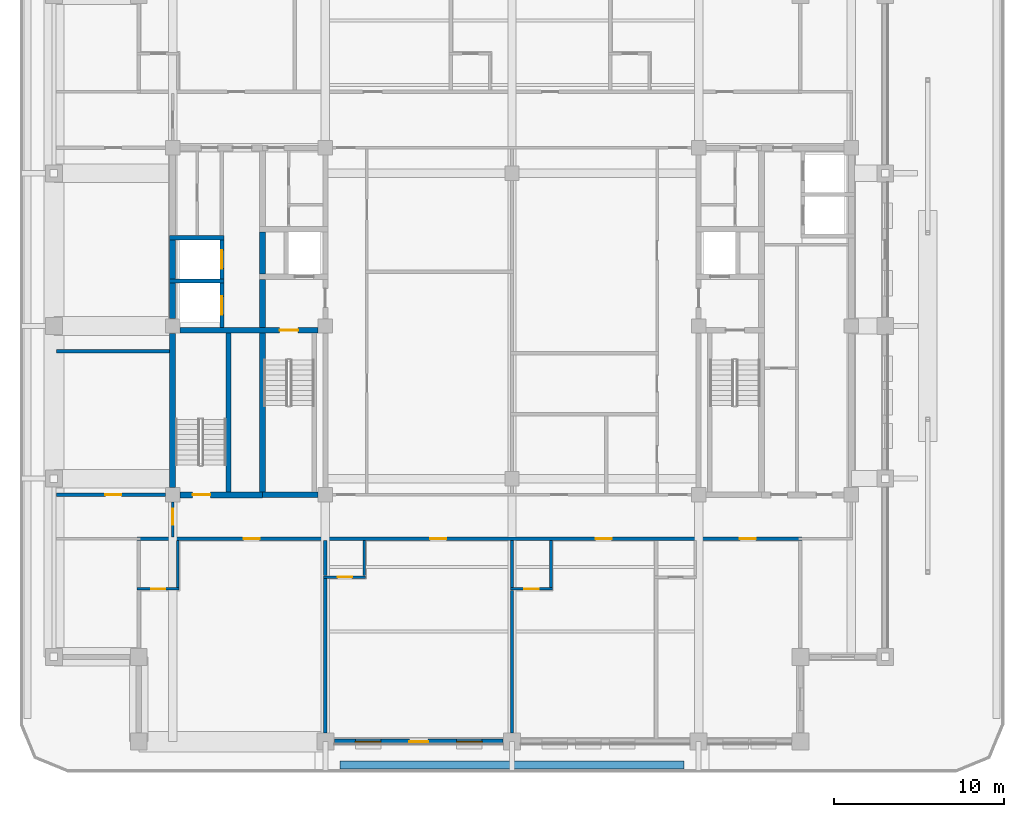
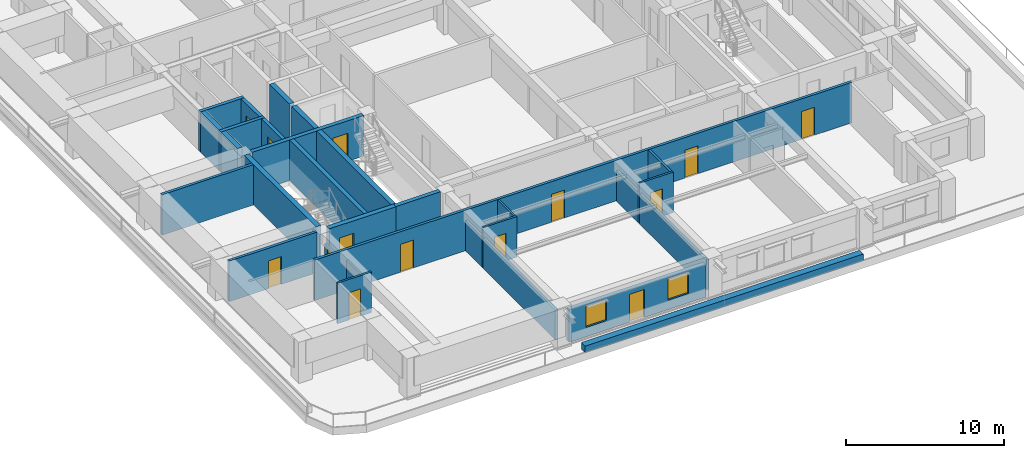
# One storey, part 6 of 18: 30 walls, 14 doors, 2 windows, 16 openings.
"""IFC4 building model written with IfcOpenShell, lengths in metres."""

from ifc_helpers import new_model, si_unit, direction, frame, frame_2d, origin, place, context, subcontext, project, spatial, rectangle, extrude, material, layer, layer_set, type_object, element, fill, save


model = new_model("IFC4")

# Units and contexts
model_context = context("Model", 3, precision=1e-05, world=origin(), true_north=direction((0.0, 1.0)))
body_context = subcontext(model_context, "Body", "Model", "MODEL_VIEW")
ifc_project = project(units=[si_unit("LENGTHUNIT", "METRE"), si_unit("AREAUNIT", "SQUARE_METRE"), si_unit("VOLUMEUNIT", "CUBIC_METRE"), si_unit("PLANEANGLEUNIT", "RADIAN"), si_unit("MASSUNIT", "GRAM", prefix="KILO")], contexts=[model_context])

# Site, building, storey
site_placement = place(None, origin())
site = spatial("IfcSite", under=ifc_project, at=site_placement, CompositionType="ELEMENT")
building_placement = place(site_placement, origin())
building = spatial("IfcBuilding", under=site, at=building_placement, Name="Zulmaris Gate Convention Tower", CompositionType="ELEMENT")
storey_placement = place(building_placement, frame((0.0, 0.0, 191.4599609375)))
storey = spatial("IfcBuildingStorey", under=building, at=storey_placement, Name="L49", CompositionType="ELEMENT", Elevation=191.4599609375)

# Walls
ifc_material_1 = material(Name="Concrete C50/60", Category="concrete")
ifc_layer_1 = layer(ifc_material_1, 0.25, Name="Concrete C50/60")
ifc_layer_set_1 = layer_set([ifc_layer_1], Name="Concrete C50/60")
wall_type_1 = type_object("IfcWallType", Name="CORE-250", PredefinedType="SOLIDWALL", material=ifc_layer_set_1)
for number, where, z_axis, x_axis, name in (
    (1, (-20.175048828125, 2.64990234375, 0.0), (0.0, 0.0, 1.0), (1.0, 0.0, 0.0), "WL-L49-007"),
    (2, (-20.175048828125, 5.199951171875, 0.0), (0.0, 0.0, 1.0), (1.0, 0.0, 0.0), "WL-L49-010"),
):
    element("IfcWall", number, at=place(storey_placement, frame(where, z_axis=z_axis, x_axis=x_axis)), inside=storey, type_object=wall_type_1, Name=name, PredefinedType="SOLIDWALL", context=body_context, shape_type="SweptSolid", body=[
        extrude(rectangle(XDim=3.199951171875, YDim=0.25, at=frame_2d((1.60009765625, 0.0))), origin(), (0.0, 0.0, 1.0), 3.125),
    ])

# Wall, opening, door
wall_1_placement = place(storey_placement, frame((-17.10009765625, -0.097900390625, 0.0), z_axis=(0.0, 0.0, 1.0), x_axis=(0.0, 1.0, 0.0)))
wall_1 = element("IfcWall", 3, at=wall_1_placement, inside=storey, type_object=wall_type_1, Name="WL-L49-048", PredefinedType="SOLIDWALL", context=body_context, shape_type="SweptSolid", body=[
    extrude(rectangle(XDim=2.620849609375, YDim=0.25, at=frame_2d((1.310546875, 0.0))), origin(), (0.0, 0.0, 1.0), 3.125),
])
opening_1_placement = place(wall_1_placement, frame((0.748046875, 0.0, 0.0)))
opening_1 = element("IfcOpeningElement", 4, at=opening_1_placement, cuts=wall_1, Name="Opening D-06", PredefinedType="OPENING", context=body_context, shape_type="SweptSolid", body=[
    extrude(rectangle(XDim=1.10009765625, YDim=2.199951171875, at=frame_2d((0.550048828125, 1.10009765625))), frame((0.0, 0.135009765625, 0.0), z_axis=(0.0, -1.0, 0.0), x_axis=(1.0, 0.0, 0.0)), (0.0, 0.0, 1.0), 0.27001953125),
])
ifc_material_2 = material(Name="Brushed Stainless Steel", Category="steel")
door_type_1 = type_object("IfcDoorType", Name="LD-1100", OperationType="NOTDEFINED", PredefinedType="DOOR", material=ifc_material_2)
door_1_placement = place(opening_1_placement, origin())
door_1 = element("IfcDoor", 5, at=door_1_placement, inside=storey, type_object=door_type_1, Name="L49 Lift Landing Door HP-03 14", OperationType="SLIDING_TO_LEFT", OverallHeight=2.199951171875, OverallWidth=1.10009765625, PredefinedType="DOOR", context=body_context, shape_type="SweptSolid", body=[
    extrude(rectangle(XDim=1.10009765625, YDim=2.199951171875, at=frame_2d((0.550048828125, 1.10009765625))), frame((0.0, 0.02490234375, 0.0), z_axis=(0.0, -1.0, 0.0), x_axis=(1.0, 0.0, 0.0)), (0.0, 0.0, 1.0), 0.050048828125),
])
fill(opening_1, door_1)

wall_2_placement = place(storey_placement, frame((-17.10009765625, 2.777099609375, 0.0), z_axis=(0.0, 0.0, 1.0), x_axis=(0.0, 1.0, 0.0)))
wall_2 = element("IfcWall", 6, at=wall_2_placement, inside=storey, type_object=wall_type_1, Name="WL-L49-049", PredefinedType="SOLIDWALL", context=body_context, shape_type="SweptSolid", body=[
    extrude(rectangle(XDim=2.2958984375, YDim=0.25, at=frame_2d((1.14794921875, 0.0))), origin(), (0.0, 0.0, 1.0), 3.125),
])
opening_2_placement = place(wall_2_placement, frame((0.597900390625, 0.0, 0.0)))
opening_2 = element("IfcOpeningElement", 7, at=opening_2_placement, cuts=wall_2, Name="Opening D-06", PredefinedType="OPENING", context=body_context, shape_type="SweptSolid", body=[
    extrude(rectangle(XDim=1.10009765625, YDim=2.199951171875, at=frame_2d((0.550048828125, 1.10009765625))), frame((0.0, 0.135009765625, 0.0), z_axis=(0.0, -1.0, 0.0), x_axis=(1.0, 0.0, 0.0)), (0.0, 0.0, 1.0), 0.27001953125),
])
door_2_placement = place(opening_2_placement, origin())
door_2 = element("IfcDoor", 8, at=door_2_placement, inside=storey, type_object=door_type_1, Name="L49 Lift Landing Door HP-04 15", OperationType="SLIDING_TO_LEFT", OverallHeight=2.199951171875, OverallWidth=1.10009765625, PredefinedType="DOOR", context=body_context, shape_type="SweptSolid", body=[
    extrude(rectangle(XDim=1.10009765625, YDim=2.199951171875, at=frame_2d((0.550048828125, 1.10009765625))), frame((0.0, 0.02490234375, 0.0), z_axis=(0.0, -1.0, 0.0), x_axis=(1.0, 0.0, 0.0)), (0.0, 0.0, 1.0), 0.050048828125),
])
fill(opening_2, door_2)

# Wall
ifc_layer_2 = layer(ifc_material_1, 0.300048828125, Name="Concrete C50/60")
ifc_layer_set_2 = layer_set([ifc_layer_2], Name="Concrete C50/60")
wall_type_2 = type_object("IfcWallType", Name="CORE-300", PredefinedType="SHEAR", material=ifc_layer_set_2)
wall_3_placement = place(storey_placement, frame((-14.699951171875, -9.949951171875, 0.0), z_axis=(0.0, 0.0, 1.0), x_axis=(1.0, 0.0, 0.0)))
element("IfcWall", 9, at=wall_3_placement, inside=storey, type_object=wall_type_2, Name="WL-L49-002", PredefinedType="SHEAR", context=body_context, shape_type="SweptSolid", body=[
    extrude(rectangle(XDim=3.27099609375, YDim=0.300048828125, at=frame_2d((1.635498046875, 0.0))), origin(), (0.0, 0.0, 1.0), 3.125),
])

# Wall, opening, door
wall_4_placement = place(storey_placement, frame((-19.571044921875, -0.25, 0.0), z_axis=(0.0, 0.0, 1.0), x_axis=(1.0, 0.0, 0.0)))
wall_4 = element("IfcWall", 10, at=wall_4_placement, inside=storey, type_object=wall_type_2, Name="WL-L49-005", PredefinedType="SHEAR", context=body_context, shape_type="SweptSolid", body=[
    extrude(rectangle(XDim=8.14208984375, YDim=0.300048828125, at=frame_2d((4.071044921875, 0.0))), origin(), (0.0, 0.0, 1.0), 3.125),
])
opening_3_placement = place(wall_4_placement, frame((5.87109375, 0.0, 0.0)))
opening_3 = element("IfcOpeningElement", 11, at=opening_3_placement, cuts=wall_4, Name="Opening D-08", PredefinedType="OPENING", context=body_context, shape_type="SweptSolid", body=[
    extrude(rectangle(XDim=1.10009765625, YDim=2.14990234375, at=frame_2d((0.550048828125, 1.074951171875))), frame((0.0, 0.16015625, 0.0), z_axis=(0.0, -1.0, 0.0), x_axis=(1.0, 0.0, 0.0)), (0.0, 0.0, 1.0), 0.320068359375),
])
ifc_material_3 = material(Name="Fire-Rated Steel", Category="steel")
door_type_2 = type_object("IfcDoorType", Name="DR-1100-FD", OperationType="NOTDEFINED", PredefinedType="DOOR", material=ifc_material_3)
door_3_placement = place(opening_3_placement, origin())
door_3 = element("IfcDoor", 12, at=door_3_placement, inside=storey, type_object=door_type_2, Name="L49 Exit Stair ST-1 Door 01", OperationType="SINGLE_SWING_LEFT", OverallHeight=2.14990234375, OverallWidth=1.10009765625, PredefinedType="DOOR", context=body_context, shape_type="SweptSolid", body=[
    extrude(rectangle(XDim=1.10009765625, YDim=2.14990234375, at=frame_2d((0.550048828125, 1.074951171875))), frame((0.0, 0.02490234375, 0.0), z_axis=(0.0, -1.0, 0.0), x_axis=(1.0, 0.0, 0.0)), (0.0, 0.0, 1.0), 0.050048828125),
])
fill(opening_3, door_3)

# Wall
wall_5_placement = place(storey_placement, frame((-16.699951171875, -9.77294921875, 0.0), z_axis=(0.0, 0.0, 1.0), x_axis=(0.0, 1.0, 0.0)))
element("IfcWall", 13, at=wall_5_placement, inside=storey, type_object=wall_type_2, Name="WL-L49-050", PredefinedType="SHEAR", context=body_context, shape_type="SweptSolid", body=[
    extrude(rectangle(XDim=9.370849609375, YDim=0.300048828125, at=frame_2d((4.685546875, 0.0))), origin(), (0.0, 0.0, 1.0), 3.125),
])

# Wall, opening, door
ifc_material_4 = material(Name="Concrete C55/67", Category="concrete")
ifc_layer_3 = layer(ifc_material_4, 0.35009765625, Name="Concrete C55/67")
ifc_layer_set_3 = layer_set([ifc_layer_3], Name="Concrete C55/67")
wall_type_3 = type_object("IfcWallType", Name="CORE-350", PredefinedType="SHEAR", material=ifc_layer_set_3)
wall_6_placement = place(storey_placement, frame((-19.571044921875, -9.949951171875, 0.0), z_axis=(0.0, 0.0, 1.0), x_axis=(1.0, 0.0, 0.0)))
wall_6 = element("IfcWall", 14, at=wall_6_placement, inside=storey, type_object=wall_type_3, Name="WL-L49-001", PredefinedType="SHEAR", context=body_context, shape_type="SweptSolid", body=[
    extrude(rectangle(XDim=4.87109375, YDim=0.35009765625, at=frame_2d((2.435546875, 0.0))), origin(), (0.0, 0.0, 1.0), 3.125),
])
opening_4_placement = place(wall_6_placement, frame((0.74609375, 0.0, 0.0)))
opening_4 = element("IfcOpeningElement", 15, at=opening_4_placement, cuts=wall_6, Name="Opening D-09", PredefinedType="OPENING", context=body_context, shape_type="SweptSolid", body=[
    extrude(rectangle(XDim=1.050048828125, YDim=2.14990234375, at=frame_2d((0.52490234375, 1.074951171875))), frame((0.0, 0.18505859375, 0.0), z_axis=(0.0, -1.0, 0.0), x_axis=(1.0, 0.0, 0.0)), (0.0, 0.0, 1.0), 0.3701171875),
])
door_type_3 = type_object("IfcDoorType", Name="DR-1050-FD", OperationType="NOTDEFINED", PredefinedType="DOOR", material=ifc_material_3)
door_4_placement = place(opening_4_placement, origin())
door_4 = element("IfcDoor", 16, at=door_4_placement, inside=storey, type_object=door_type_3, Name="L49 Exit Stair ST-3 Door 13", OperationType="SINGLE_SWING_LEFT", OverallHeight=2.14990234375, OverallWidth=1.050048828125, PredefinedType="DOOR", context=body_context, shape_type="SweptSolid", body=[
    extrude(rectangle(XDim=1.050048828125, YDim=2.14990234375, at=frame_2d((0.52490234375, 1.074951171875))), frame((0.0, 0.02490234375, 0.0), z_axis=(0.0, -1.0, 0.0), x_axis=(1.0, 0.0, 0.0)), (0.0, 0.0, 1.0), 0.050048828125),
])
fill(opening_4, door_4)

# Walls
wall_7_placement = place(storey_placement, frame((-20.0, -9.52099609375, 0.0), z_axis=(0.0, 0.0, 1.0), x_axis=(0.0, 1.0, 0.0)))
element("IfcWall", 17, at=wall_7_placement, inside=storey, type_object=wall_type_3, Name="WL-L49-044", PredefinedType="SHEAR", context=body_context, shape_type="SweptSolid", body=[
    extrude(rectangle(XDim=9.092041015625, YDim=0.35009765625, at=frame_2d((4.5458984375, 0.0))), origin(), (0.0, 0.0, 1.0), 3.125),
])
wall_8_placement = place(storey_placement, frame((-20.0, 0.428955078125, 0.0), z_axis=(0.0, 0.0, 1.0), x_axis=(0.0, 1.0, 0.0)))
element("IfcWall", 18, at=wall_8_placement, inside=storey, type_object=wall_type_3, Name="WL-L49-045", PredefinedType="SHEAR", context=body_context, shape_type="SweptSolid", body=[
    extrude(rectangle(XDim=2.093994140625, YDim=0.35009765625, at=frame_2d((1.046875, 0.0))), origin(), (0.0, 0.0, 1.0), 3.125),
])
wall_9_placement = place(storey_placement, frame((-20.0, 2.777099609375, 0.0), z_axis=(0.0, 0.0, 1.0), x_axis=(0.0, 1.0, 0.0)))
element("IfcWall", 19, at=wall_9_placement, inside=storey, type_object=wall_type_3, Name="WL-L49-046", PredefinedType="SHEAR", context=body_context, shape_type="SweptSolid", body=[
    extrude(rectangle(XDim=2.2958984375, YDim=0.35009765625, at=frame_2d((1.14794921875, 0.0))), origin(), (0.0, 0.0, 1.0), 3.125),
])
wall_10_placement = place(storey_placement, frame((-14.699951171875, -9.77294921875, 0.0), z_axis=(0.0, 0.0, 1.0), x_axis=(0.0, 1.0, 0.0)))
element("IfcWall", 20, at=wall_10_placement, inside=storey, type_object=wall_type_3, Name="WL-L49-051", PredefinedType="SHEAR", context=body_context, shape_type="SweptSolid", body=[
    extrude(rectangle(XDim=9.370849609375, YDim=0.35009765625, at=frame_2d((4.685546875, 0.0))), origin(), (0.0, 0.0, 1.0), 3.125),
])
wall_11_placement = place(storey_placement, frame((-14.699951171875, -0.097900390625, 0.0), z_axis=(0.0, 0.0, 1.0), x_axis=(0.0, 1.0, 0.0)))
element("IfcWall", 21, at=wall_11_placement, inside=storey, type_object=wall_type_3, Name="WL-L49-052", PredefinedType="SHEAR", context=body_context, shape_type="SweptSolid", body=[
    extrude(rectangle(XDim=2.845947265625, YDim=0.35009765625, at=frame_2d((1.4228515625, 0.0))), origin(), (0.0, 0.0, 1.0), 3.125),
])
wall_12_placement = place(storey_placement, frame((-14.699951171875, 3.052001953125, 0.0), z_axis=(0.0, 0.0, 1.0), x_axis=(0.0, 1.0, 0.0)))
element("IfcWall", 22, at=wall_12_placement, inside=storey, type_object=wall_type_3, Name="WL-L49-053", PredefinedType="SHEAR", context=body_context, shape_type="SweptSolid", body=[
    extrude(rectangle(XDim=2.49609375, YDim=0.35009765625, at=frame_2d((1.248046875, 0.0))), origin(), (0.0, 0.0, 1.0), 3.125),
])

# Wall, opening, door
ifc_material_5 = material(Name="Gypsum Metal Stud Partition")
ifc_layer_4 = layer(ifc_material_5, 0.14990234375, Name="Gypsum Metal Stud Partition")
ifc_layer_set_4 = layer_set([ifc_layer_4], Name="Gypsum Metal Stud Partition")
wall_type_4 = type_object("IfcWallType", Name="PART-150", PredefinedType="PARTITIONING", material=ifc_layer_set_4)
wall_13_placement = place(storey_placement, frame((-22.10009765625, -15.5, 0.0), z_axis=(0.0, 0.0, 1.0), x_axis=(1.0, 0.0, 0.0)))
wall_13 = element("IfcWall", 23, at=wall_13_placement, inside=storey, type_object=wall_type_4, Name="WL-L49-019", PredefinedType="PARTITIONING", context=body_context, shape_type="SweptSolid", body=[
    extrude(rectangle(XDim=2.47509765625, YDim=0.14990234375, at=frame_2d((1.237548828125, 0.0))), origin(), (0.0, 0.0, 1.0), 3.125),
])
opening_5_placement = place(wall_13_placement, frame((0.824951171875, 0.0, 0.0)))
opening_5 = element("IfcOpeningElement", 24, at=opening_5_placement, cuts=wall_13, Name="Opening D-17", PredefinedType="OPENING", context=body_context, shape_type="SweptSolid", body=[
    extrude(rectangle(XDim=0.85009765625, YDim=2.10009765625, at=frame_2d((0.425048828125, 1.050048828125))), frame((0.0, 0.0849609375, 0.0), z_axis=(0.0, -1.0, 0.0), x_axis=(1.0, 0.0, 0.0)), (0.0, 0.0, 1.0), 0.169921875),
])
ifc_material_6 = material(Name="Moisture-Resistant Hardwood Timber", Category="wood")
door_type_4 = type_object("IfcDoorType", Name="DR-850", OperationType="NOTDEFINED", PredefinedType="DOOR", material=ifc_material_6)
door_5_placement = place(opening_5_placement, origin())
door_5 = element("IfcDoor", 25, at=door_5_placement, inside=storey, type_object=door_type_4, Name="L49 En-Suite Door 37", OperationType="SINGLE_SWING_LEFT", OverallHeight=2.10009765625, OverallWidth=0.85009765625, PredefinedType="DOOR", context=body_context, shape_type="SweptSolid", body=[
    extrude(rectangle(XDim=0.85009765625, YDim=2.10009765625, at=frame_2d((0.425048828125, 1.050048828125))), frame((0.0, 0.02490234375, 0.0), z_axis=(0.0, -1.0, 0.0), x_axis=(1.0, 0.0, 0.0)), (0.0, 0.0, 1.0), 0.050048828125),
])
fill(opening_5, door_5)

wall_14_placement = place(storey_placement, frame((-0.10009765625, -15.5, 0.0), z_axis=(0.0, 0.0, 1.0), x_axis=(1.0, 0.0, 0.0)))
wall_14 = element("IfcWall", 26, at=wall_14_placement, inside=storey, type_object=wall_type_4, Name="WL-L49-020", PredefinedType="PARTITIONING", context=body_context, shape_type="SweptSolid", body=[
    extrude(rectangle(XDim=2.47509765625, YDim=0.14990234375, at=frame_2d((1.237548828125, 0.0))), origin(), (0.0, 0.0, 1.0), 3.125),
])
opening_6_placement = place(wall_14_placement, frame((0.824951171875, 0.0, 0.0)))
opening_6 = element("IfcOpeningElement", 27, at=opening_6_placement, cuts=wall_14, Name="Opening D-17", PredefinedType="OPENING", context=body_context, shape_type="SweptSolid", body=[
    extrude(rectangle(XDim=0.85009765625, YDim=2.10009765625, at=frame_2d((0.425048828125, 1.050048828125))), frame((0.0, 0.0849609375, 0.0), z_axis=(0.0, -1.0, 0.0), x_axis=(1.0, 0.0, 0.0)), (0.0, 0.0, 1.0), 0.169921875),
])
door_6_placement = place(opening_6_placement, origin())
door_6 = element("IfcDoor", 28, at=door_6_placement, inside=storey, type_object=door_type_4, Name="L49 En-Suite Door 41", OperationType="SINGLE_SWING_LEFT", OverallHeight=2.10009765625, OverallWidth=0.85009765625, PredefinedType="DOOR", context=body_context, shape_type="SweptSolid", body=[
    extrude(rectangle(XDim=0.85009765625, YDim=2.10009765625, at=frame_2d((0.425048828125, 1.050048828125))), frame((0.0, 0.02490234375, 0.0), z_axis=(0.0, -1.0, 0.0), x_axis=(1.0, 0.0, 0.0)), (0.0, 0.0, 1.0), 0.050048828125),
])
fill(opening_6, door_6)

wall_15_placement = place(storey_placement, frame((-11.10009765625, -14.800048828125, 0.0), z_axis=(0.0, 0.0, 1.0), x_axis=(1.0, 0.0, 0.0)))
wall_15 = element("IfcWall", 29, at=wall_15_placement, inside=storey, type_object=wall_type_4, Name="WL-L49-021", PredefinedType="PARTITIONING", context=body_context, shape_type="SweptSolid", body=[
    extrude(rectangle(XDim=2.47509765625, YDim=0.14990234375, at=frame_2d((1.237548828125, 0.0))), origin(), (0.0, 0.0, 1.0), 3.125),
])
opening_7_placement = place(wall_15_placement, frame((0.824951171875, 0.0, 0.0)))
opening_7 = element("IfcOpeningElement", 30, at=opening_7_placement, cuts=wall_15, Name="Opening D-17", PredefinedType="OPENING", context=body_context, shape_type="SweptSolid", body=[
    extrude(rectangle(XDim=0.85009765625, YDim=2.10009765625, at=frame_2d((0.425048828125, 1.050048828125))), frame((0.0, 0.0849609375, 0.0), z_axis=(0.0, -1.0, 0.0), x_axis=(1.0, 0.0, 0.0)), (0.0, 0.0, 1.0), 0.169921875),
])
door_7_placement = place(opening_7_placement, origin())
door_7 = element("IfcDoor", 31, at=door_7_placement, inside=storey, type_object=door_type_4, Name="L49 En-Suite Door 39", OperationType="SINGLE_SWING_LEFT", OverallHeight=2.10009765625, OverallWidth=0.85009765625, PredefinedType="DOOR", context=body_context, shape_type="SweptSolid", body=[
    extrude(rectangle(XDim=0.85009765625, YDim=2.10009765625, at=frame_2d((0.425048828125, 1.050048828125))), frame((0.0, 0.02490234375, 0.0), z_axis=(0.0, -1.0, 0.0), x_axis=(1.0, 0.0, 0.0)), (0.0, 0.0, 1.0), 0.050048828125),
])
fill(opening_7, door_7)

wall_16_placement = place(storey_placement, frame((-20.0, -12.447021484375, 0.0), z_axis=(0.0, 0.0, 1.0), x_axis=(0.0, 1.0, 0.0)))
wall_16 = element("IfcWall", 32, at=wall_16_placement, inside=storey, type_object=wall_type_4, Name="WL-L49-080", PredefinedType="PARTITIONING", context=body_context, shape_type="SweptSolid", body=[
    extrude(rectangle(XDim=2.06591796875, YDim=0.14990234375, at=frame_2d((1.032958984375, 0.0))), origin(), (0.0, 0.0, 1.0), 2.31689453125),
])
opening_8_placement = place(wall_16_placement, frame((0.721923828125, 0.0, 0.0)))
opening_8 = element("IfcOpeningElement", 33, at=opening_8_placement, cuts=wall_16, Name="Opening D-11", PredefinedType="OPENING", context=body_context, shape_type="SweptSolid", body=[
    extrude(rectangle(XDim=0.949951171875, YDim=2.14990234375, at=frame_2d((0.47509765625, 1.074951171875))), frame((0.0, 0.0849609375, 0.0), z_axis=(0.0, -1.0, 0.0), x_axis=(1.0, 0.0, 0.0)), (0.0, 0.0, 1.0), 0.169921875),
])
ifc_material_7 = material(Name="Fire-Rated Timber", Category="wood")
door_type_5 = type_object("IfcDoorType", Name="DR-950-FD", OperationType="NOTDEFINED", PredefinedType="DOOR", material=ifc_material_7)
door_8_placement = place(opening_8_placement, origin())
door_8 = element("IfcDoor", 34, at=door_8_placement, inside=storey, type_object=door_type_5, Name="L49 SW Hotel Spur Door 51", OperationType="SINGLE_SWING_LEFT", OverallHeight=2.14990234375, OverallWidth=0.949951171875, PredefinedType="DOOR", context=body_context, shape_type="SweptSolid", body=[
    extrude(rectangle(XDim=0.949951171875, YDim=2.14990234375, at=frame_2d((0.47509765625, 1.074951171875))), frame((0.0, 0.02490234375, 0.0), z_axis=(0.0, -1.0, 0.0), x_axis=(1.0, 0.0, 0.0)), (0.0, 0.0, 1.0), 0.050048828125),
])
fill(opening_8, door_8)

# Walls
wall_17_placement = place(storey_placement, frame((-19.699951171875, -15.422119140625, 0.0), z_axis=(0.0, 0.0, 1.0), x_axis=(0.0, 1.0, 0.0)))
element("IfcWall", 35, at=wall_17_placement, inside=storey, type_object=wall_type_4, Name="WL-L49-082", PredefinedType="PARTITIONING", context=body_context, shape_type="SweptSolid", body=[
    extrude(rectangle(XDim=2.76904296875, YDim=0.14990234375, at=frame_2d((1.384521484375, 0.0))), origin(), (0.0, 0.0, 1.0), 2.31689453125),
])
wall_18_placement = place(storey_placement, frame((-8.699951171875, -14.721923828125, 0.0), z_axis=(0.0, 0.0, 1.0), x_axis=(0.0, 1.0, 0.0)))
element("IfcWall", 36, at=wall_18_placement, inside=storey, type_object=wall_type_4, Name="WL-L49-091", PredefinedType="PARTITIONING", context=body_context, shape_type="SweptSolid", body=[
    extrude(rectangle(XDim=2.06884765625, YDim=0.14990234375, at=frame_2d((1.034423828125, 0.0))), origin(), (0.0, 0.0, 1.0), 3.125),
])
wall_19_placement = place(storey_placement, frame((2.300048828125, -15.422119140625, 0.0), z_axis=(0.0, 0.0, 1.0), x_axis=(0.0, 1.0, 0.0)))
element("IfcWall", 37, at=wall_19_placement, inside=storey, type_object=wall_type_4, Name="WL-L49-103", PredefinedType="PARTITIONING", context=body_context, shape_type="SweptSolid", body=[
    extrude(rectangle(XDim=2.76904296875, YDim=0.14990234375, at=frame_2d((1.384521484375, 0.0))), origin(), (0.0, 0.0, 1.0), 3.125),
])

# Wall, openings, doors
ifc_material_8 = material(Name="Autoclaved Aerated Concrete Block and Plasterboard", Category="concrete")
ifc_layer_5 = layer(ifc_material_8, 0.199951171875, Name="Autoclaved Aerated Concrete Block and Plasterboard")
ifc_layer_set_5 = layer_set([ifc_layer_5], Name="Autoclaved Aerated Concrete Block and Plasterboard")
wall_type_5 = type_object("IfcWallType", Name="PART-200", PredefinedType="PARTITIONING", material=ifc_layer_set_5)
wall_20_placement = place(storey_placement, frame((-22.10009765625, -12.550048828125, 0.0), z_axis=(0.0, 0.0, 1.0), x_axis=(1.0, 0.0, 0.0)))
wall_20 = element("IfcWall", 38, at=wall_20_placement, inside=storey, type_object=wall_type_5, Name="WL-L49-024", PredefinedType="PARTITIONING", context=body_context, shape_type="SweptSolid", body=[
    extrude(rectangle(XDim=39.2001953125, YDim=0.199951171875, at=frame_2d((19.60009765625, 0.0))), origin(), (0.0, 0.0, 1.0), 3.125),
])
opening_9_placement = place(wall_20_placement, frame((6.27490234375, 0.0, 0.0)))
opening_9 = element("IfcOpeningElement", 39, at=opening_9_placement, cuts=wall_20, Name="Opening D-11", PredefinedType="OPENING", context=body_context, shape_type="SweptSolid", body=[
    extrude(rectangle(XDim=0.949951171875, YDim=2.14990234375, at=frame_2d((0.47509765625, 1.074951171875))), frame((0.0, 0.10986328125, 0.0), z_axis=(0.0, -1.0, 0.0), x_axis=(1.0, 0.0, 0.0)), (0.0, 0.0, 1.0), 0.219970703125),
])
opening_10_placement = place(wall_20_placement, frame((17.27490234375, 0.0, 0.0)))
opening_10 = element("IfcOpeningElement", 40, at=opening_10_placement, cuts=wall_20, Name="Opening D-11", PredefinedType="OPENING", context=body_context, shape_type="SweptSolid", body=[
    extrude(rectangle(XDim=0.949951171875, YDim=2.14990234375, at=frame_2d((0.47509765625, 1.074951171875))), frame((0.0, 0.10986328125, 0.0), z_axis=(0.0, -1.0, 0.0), x_axis=(1.0, 0.0, 0.0)), (0.0, 0.0, 1.0), 0.219970703125),
])
opening_11_placement = place(wall_20_placement, frame((27.02490234375, 0.0, 0.0)))
opening_11 = element("IfcOpeningElement", 41, at=opening_11_placement, cuts=wall_20, Name="Opening D-11", PredefinedType="OPENING", context=body_context, shape_type="SweptSolid", body=[
    extrude(rectangle(XDim=0.949951171875, YDim=2.14990234375, at=frame_2d((0.47509765625, 1.074951171875))), frame((0.0, 0.10986328125, 0.0), z_axis=(0.0, -1.0, 0.0), x_axis=(1.0, 0.0, 0.0)), (0.0, 0.0, 1.0), 0.219970703125),
])
opening_12_placement = place(wall_20_placement, frame((35.52490234375, 0.0, 0.0)))
opening_12 = element("IfcOpeningElement", 42, at=opening_12_placement, cuts=wall_20, Name="Opening D-11", PredefinedType="OPENING", context=body_context, shape_type="SweptSolid", body=[
    extrude(rectangle(XDim=0.949951171875, YDim=2.14990234375, at=frame_2d((0.47509765625, 1.074951171875))), frame((0.0, 0.10986328125, 0.0), z_axis=(0.0, -1.0, 0.0), x_axis=(1.0, 0.0, 0.0)), (0.0, 0.0, 1.0), 0.219970703125),
])
door_9_placement = place(opening_9_placement, origin())
door_9 = element("IfcDoor", 43, at=door_9_placement, inside=storey, type_object=door_type_5, Name="L49 Hotel Executive Suite Door 36", OperationType="SINGLE_SWING_RIGHT", OverallHeight=2.14990234375, OverallWidth=0.949951171875, PredefinedType="DOOR", context=body_context, shape_type="SweptSolid", body=[
    extrude(rectangle(XDim=0.949951171875, YDim=2.14990234375, at=frame_2d((0.47509765625, 1.074951171875))), frame((0.0, 0.02490234375, 0.0), z_axis=(0.0, -1.0, 0.0), x_axis=(1.0, 0.0, 0.0)), (0.0, 0.0, 1.0), 0.050048828125),
])
fill(opening_9, door_9)
door_10_placement = place(opening_10_placement, origin())
door_10 = element("IfcDoor", 44, at=door_10_placement, inside=storey, type_object=door_type_5, Name="L49 Hotel Executive Suite Door 38", OperationType="SINGLE_SWING_RIGHT", OverallHeight=2.14990234375, OverallWidth=0.949951171875, PredefinedType="DOOR", context=body_context, shape_type="SweptSolid", body=[
    extrude(rectangle(XDim=0.949951171875, YDim=2.14990234375, at=frame_2d((0.47509765625, 1.074951171875))), frame((0.0, 0.02490234375, 0.0), z_axis=(0.0, -1.0, 0.0), x_axis=(1.0, 0.0, 0.0)), (0.0, 0.0, 1.0), 0.050048828125),
])
fill(opening_10, door_10)
door_11_placement = place(opening_11_placement, origin())
door_11 = element("IfcDoor", 45, at=door_11_placement, inside=storey, type_object=door_type_5, Name="L49 Hotel Executive Suite Door 40", OperationType="SINGLE_SWING_RIGHT", OverallHeight=2.14990234375, OverallWidth=0.949951171875, PredefinedType="DOOR", context=body_context, shape_type="SweptSolid", body=[
    extrude(rectangle(XDim=0.949951171875, YDim=2.14990234375, at=frame_2d((0.47509765625, 1.074951171875))), frame((0.0, 0.02490234375, 0.0), z_axis=(0.0, -1.0, 0.0), x_axis=(1.0, 0.0, 0.0)), (0.0, 0.0, 1.0), 0.050048828125),
])
fill(opening_11, door_11)
door_12_placement = place(opening_12_placement, origin())
door_12 = element("IfcDoor", 46, at=door_12_placement, inside=storey, type_object=door_type_5, Name="L49 Hotel Executive Suite Door 42", OperationType="SINGLE_SWING_RIGHT", OverallHeight=2.14990234375, OverallWidth=0.949951171875, PredefinedType="DOOR", context=body_context, shape_type="SweptSolid", body=[
    extrude(rectangle(XDim=0.949951171875, YDim=2.14990234375, at=frame_2d((0.47509765625, 1.074951171875))), frame((0.0, 0.02490234375, 0.0), z_axis=(0.0, -1.0, 0.0), x_axis=(1.0, 0.0, 0.0)), (0.0, 0.0, 1.0), 0.050048828125),
])
fill(opening_12, door_12)

# Wall, opening, door
wall_21_placement = place(storey_placement, frame((-26.8349609375, -9.949951171875, 0.0), z_axis=(0.0, 0.0, 1.0), x_axis=(1.0, 0.0, 0.0)))
wall_21 = element("IfcWall", 47, at=wall_21_placement, inside=storey, type_object=wall_type_5, Name="WL-L49-026", PredefinedType="PARTITIONING", context=body_context, shape_type="SweptSolid", body=[
    extrude(rectangle(XDim=6.404052734375, YDim=0.199951171875, at=frame_2d((3.2021484375, 0.0))), origin(), (0.0, 0.0, 1.0), 3.125),
])
opening_13_placement = place(wall_21_placement, frame((2.860107421875, 0.0, 0.0)))
opening_13 = element("IfcOpeningElement", 48, at=opening_13_placement, cuts=wall_21, Name="Opening D-11", PredefinedType="OPENING", context=body_context, shape_type="SweptSolid", body=[
    extrude(rectangle(XDim=0.949951171875, YDim=2.14990234375, at=frame_2d((0.47509765625, 1.074951171875))), frame((0.0, 0.10986328125, 0.0), z_axis=(0.0, -1.0, 0.0), x_axis=(1.0, 0.0, 0.0)), (0.0, 0.0, 1.0), 0.219970703125),
])
door_13_placement = place(opening_13_placement, origin())
door_13 = element("IfcDoor", 49, at=door_13_placement, inside=storey, type_object=door_type_5, Name="L49 West Study Door 53", OperationType="SINGLE_SWING_LEFT", OverallHeight=2.14990234375, OverallWidth=0.949951171875, PredefinedType="DOOR", context=body_context, shape_type="SweptSolid", body=[
    extrude(rectangle(XDim=0.949951171875, YDim=2.14990234375, at=frame_2d((0.47509765625, 1.074951171875))), frame((0.0, 0.02490234375, 0.0), z_axis=(0.0, -1.0, 0.0), x_axis=(1.0, 0.0, 0.0)), (0.0, 0.0, 1.0), 0.050048828125),
])
fill(opening_13, door_13)

# Walls
wall_22_placement = place(storey_placement, frame((-26.8349609375, -1.5, 0.0), z_axis=(0.0, 0.0, 1.0), x_axis=(1.0, 0.0, 0.0)))
element("IfcWall", 50, at=wall_22_placement, inside=storey, type_object=wall_type_5, Name="WL-L49-031", PredefinedType="PARTITIONING", context=body_context, shape_type="SweptSolid", body=[
    extrude(rectangle(XDim=6.656982421875, YDim=0.199951171875, at=frame_2d((3.32861328125, 0.0))), origin(), (0.0, 0.0, 1.0), 3.125),
])
wall_23_placement = place(storey_placement, frame((-11.0, -23.993896484375, 0.0), z_axis=(0.0, 0.0, 1.0), x_axis=(0.0, 1.0, 0.0)))
element("IfcWall", 51, at=wall_23_placement, inside=storey, type_object=wall_type_5, Name="WL-L49-089", PredefinedType="PARTITIONING", context=body_context, shape_type="SweptSolid", body=[
    extrude(rectangle(XDim=9.115966796875, YDim=0.199951171875, at=frame_2d((4.55810546875, 0.0))), origin(), (0.0, 0.0, 1.0), 2.31689453125),
])
wall_24_placement = place(storey_placement, frame((-11.0, -14.721923828125, 0.0), z_axis=(0.0, 0.0, 1.0), x_axis=(0.0, 1.0, 0.0)))
element("IfcWall", 52, at=wall_24_placement, inside=storey, type_object=wall_type_5, Name="WL-L49-090", PredefinedType="PARTITIONING", context=body_context, shape_type="SweptSolid", body=[
    extrude(rectangle(XDim=2.06884765625, YDim=0.199951171875, at=frame_2d((1.034423828125, 0.0))), origin(), (0.0, 0.0, 1.0), 2.31689453125),
])
wall_25_placement = place(storey_placement, frame((0.0, -23.993896484375, 0.0), z_axis=(0.0, 0.0, 1.0), x_axis=(0.0, 1.0, 0.0)))
element("IfcWall", 53, at=wall_25_placement, inside=storey, type_object=wall_type_5, Name="WL-L49-097", PredefinedType="PARTITIONING", context=body_context, shape_type="SweptSolid", body=[
    extrude(rectangle(XDim=8.416015625, YDim=0.199951171875, at=frame_2d((4.2080078125, 0.0))), origin(), (0.0, 0.0, 1.0), 2.31689453125),
])
wall_26_placement = place(storey_placement, frame((0.0, -15.422119140625, 0.0), z_axis=(0.0, 0.0, 1.0), x_axis=(0.0, 1.0, 0.0)))
element("IfcWall", 54, at=wall_26_placement, inside=storey, type_object=wall_type_5, Name="WL-L49-098", PredefinedType="PARTITIONING", context=body_context, shape_type="SweptSolid", body=[
    extrude(rectangle(XDim=2.76904296875, YDim=0.199951171875, at=frame_2d((1.384521484375, 0.0))), origin(), (0.0, 0.0, 1.0), 2.31689453125),
])
ifc_material_9 = material(Name="Botanical Green Glazed Precast Concrete C40/50", Category="concrete")
ifc_layer_6 = layer(ifc_material_9, 0.419921875, Name="Botanical Green Glazed Precast Concrete C40/50")
ifc_layer_set_6 = layer_set([ifc_layer_6], Name="Botanical Green Glazed Precast Concrete C40/50")
wall_type_6 = type_object("IfcWallType", Name="PLANTER-CURB-200", PredefinedType="PARAPET", material=ifc_layer_set_6)
wall_27_placement = place(storey_placement, frame((-10.14990234375, -25.8798828125, -0.0400390625), z_axis=(0.0, 0.0, 1.0), x_axis=(1.0, 0.0, 0.0)))
element("IfcWall", 55, at=wall_27_placement, inside=storey, type_object=wall_type_6, Name="L49 Full-Length Balcony Tree Planter Trough", PredefinedType="PARAPET", context=body_context, shape_type="SweptSolid", body=[
    extrude(rectangle(XDim=20.2998046875, YDim=0.47998046875, at=frame_2d((10.14990234375, 0.0))), origin(), (0.0, 0.0, 1.0), 0.52001953125),
])

# Wall, openings, door, windows
ifc_material_10 = material(Name="Precast concrete C40/50", Category="concrete")
ifc_layer_7 = layer(ifc_material_10, 0.300048828125, Name="Precast concrete C40/50")
ifc_layer_set_7 = layer_set([ifc_layer_7], Name="Precast concrete C40/50")
wall_type_7 = type_object("IfcWallType", Name="PRECAST-PIER-300", PredefinedType="STANDARD", material=ifc_layer_set_7)
wall_28_placement = place(storey_placement, frame((-10.469970703125, -24.5, 0.0), z_axis=(0.0, 0.0, 1.0), x_axis=(1.0, 0.0, 0.0)))
wall_28 = element("IfcWall", 56, at=wall_28_placement, inside=storey, type_object=wall_type_7, Name="EW-L49-S-1_0", PredefinedType="STANDARD", context=body_context, shape_type="SweptSolid", body=[
    extrude(rectangle(XDim=9.93994140625, YDim=0.300048828125, at=frame_2d((4.969970703125, 0.0))), origin(), (0.0, 0.0, 1.0), 2.516845703125),
])
opening_14_placement = place(wall_28_placement, frame((4.419921875, 0.0, 0.0)))
opening_14 = element("IfcOpeningElement", 57, at=opening_14_placement, cuts=wall_28, Name="Opening D-04", PredefinedType="OPENING", context=body_context, shape_type="SweptSolid", body=[
    extrude(rectangle(XDim=1.10009765625, YDim=2.14990234375, at=frame_2d((0.550048828125, 1.074951171875))), frame((0.0, 0.16015625, 0.0), z_axis=(0.0, -1.0, 0.0), x_axis=(1.0, 0.0, 0.0)), (0.0, 0.0, 1.0), 0.320068359375),
])
opening_15_placement = place(wall_28_placement, frame((1.238037109375, 0.0, 0.719970703125)))
opening_15 = element("IfcOpeningElement", 58, at=opening_15_placement, cuts=wall_28, Name="Opening W-03", PredefinedType="OPENING", context=body_context, shape_type="SweptSolid", body=[
    extrude(rectangle(XDim=1.5, YDim=1.60009765625, at=frame_2d((0.75, 0.800048828125))), frame((0.0, 0.16015625, 0.0), z_axis=(0.0, -1.0, 0.0), x_axis=(1.0, 0.0, 0.0)), (0.0, 0.0, 1.0), 0.320068359375),
])
opening_16_placement = place(wall_28_placement, frame((7.201904296875, 0.0, 0.719970703125)))
opening_16 = element("IfcOpeningElement", 59, at=opening_16_placement, cuts=wall_28, Name="Opening W-03", PredefinedType="OPENING", context=body_context, shape_type="SweptSolid", body=[
    extrude(rectangle(XDim=1.5, YDim=1.60009765625, at=frame_2d((0.75, 0.800048828125))), frame((0.0, 0.16015625, 0.0), z_axis=(0.0, -1.0, 0.0), x_axis=(1.0, 0.0, 0.0)), (0.0, 0.0, 1.0), 0.320068359375),
])
ifc_material_11 = material(Name="Anodised Aluminium and Laminated Glass", Category="aluminium")
door_type_6 = type_object("IfcDoorType", Name="ED-1100", OperationType="SINGLE_SWING_RIGHT", PredefinedType="DOOR", material=ifc_material_11)
door_14_placement = place(opening_14_placement, origin())
door_14 = element("IfcDoor", 60, at=door_14_placement, inside=storey, type_object=door_type_6, Name="L49 S Planted Terrace Door", OperationType="SINGLE_SWING_RIGHT", OverallHeight=2.14990234375, OverallWidth=1.10009765625, PredefinedType="DOOR", context=body_context, shape_type="SweptSolid", body=[
    extrude(rectangle(XDim=1.10009765625, YDim=2.14990234375, at=frame_2d((0.550048828125, 1.074951171875))), frame((0.0, 0.02490234375, 0.0), z_axis=(0.0, -1.0, 0.0), x_axis=(1.0, 0.0, 0.0)), (0.0, 0.0, 1.0), 0.050048828125),
])
fill(opening_14, door_14)
ifc_material_12 = material(Name="Low-E Laminated Double Glazing in Aluminium Frame", Category="aluminium")
window_type = type_object("IfcWindowType", Name="WIN-1500x2100", PartitioningType="SINGLE_PANEL", PredefinedType="WINDOW", material=ifc_material_12)
window_1_placement = place(opening_15_placement, origin())
window_1 = element("IfcWindow", 61, at=window_1_placement, inside=storey, type_object=window_type, Name="WN-EW-L49-S-1_0-1", OverallHeight=1.60009765625, OverallWidth=1.5, PartitioningType="SINGLE_PANEL", PredefinedType="WINDOW", context=body_context, shape_type="SweptSolid", body=[
    extrude(rectangle(XDim=1.5, YDim=1.60009765625, at=frame_2d((0.75, 0.800048828125))), frame((0.0, 0.030029296875, 0.0), z_axis=(0.0, -1.0, 0.0), x_axis=(1.0, 0.0, 0.0)), (0.0, 0.0, 1.0), 0.06005859375),
])
fill(opening_15, window_1)
window_2_placement = place(opening_16_placement, origin())
window_2 = element("IfcWindow", 62, at=window_2_placement, inside=storey, type_object=window_type, Name="WN-EW-L49-S-1_0-4", OverallHeight=1.60009765625, OverallWidth=1.5, PartitioningType="SINGLE_PANEL", PredefinedType="WINDOW", context=body_context, shape_type="SweptSolid", body=[
    extrude(rectangle(XDim=1.5, YDim=1.60009765625, at=frame_2d((0.75, 0.800048828125))), frame((0.0, 0.030029296875, 0.0), z_axis=(0.0, -1.0, 0.0), x_axis=(1.0, 0.0, 0.0)), (0.0, 0.0, 1.0), 0.06005859375),
])
fill(opening_16, window_2)

save(model, "model.ifc")
